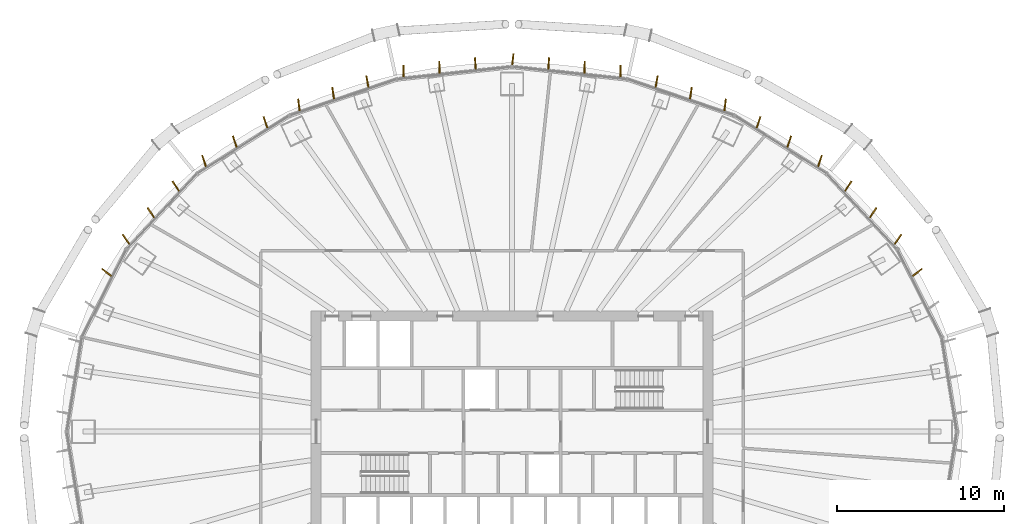
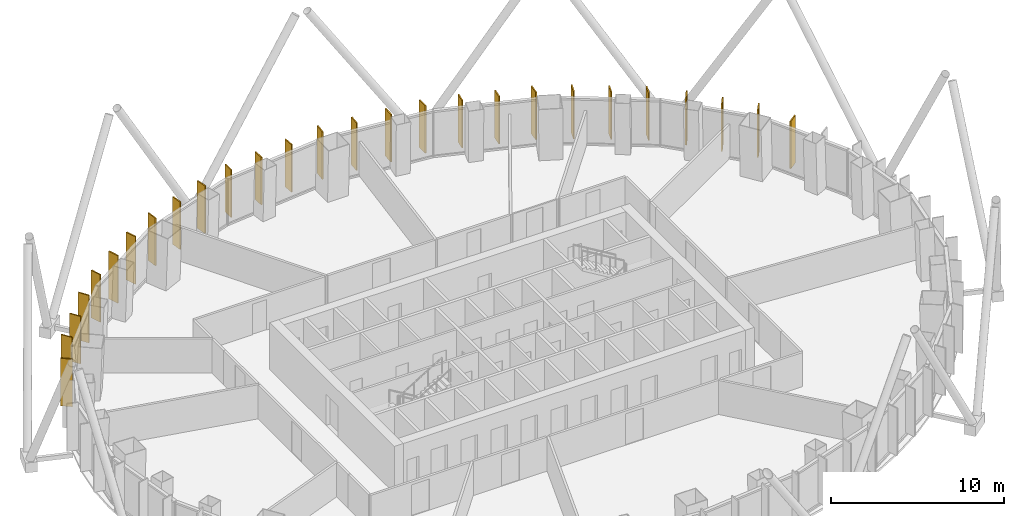
# One storey, part 18 of 18: 27 shading devices.
"""IFC4 building model written with IfcOpenShell, lengths in metres."""

from ifc_helpers import new_model, si_unit, direction, frame, origin, origin_2d, place, context, subcontext, project, spatial, rectangle, extrude, material, layer, layer_set, type_object, element, save


model = new_model("IFC4")

# Units and contexts
model_context = context("Model", 3, precision=1e-05, world=origin(), true_north=direction((0.0, 1.0)))
body_context = subcontext(model_context, "Body", "Model", "MODEL_VIEW")
ifc_project = project(units=[si_unit("LENGTHUNIT", "METRE"), si_unit("AREAUNIT", "SQUARE_METRE"), si_unit("VOLUMEUNIT", "CUBIC_METRE"), si_unit("PLANEANGLEUNIT", "RADIAN"), si_unit("MASSUNIT", "GRAM", prefix="KILO")], contexts=[model_context])

# Site, building, storey
site_placement = place(None, origin())
site = spatial("IfcSite", under=ifc_project, at=site_placement, CompositionType="ELEMENT")
building_placement = place(site_placement, origin())
building = spatial("IfcBuilding", under=site, at=building_placement, Name="Siaravel Broadcast Tower", CompositionType="ELEMENT")
storey_placement = place(building_placement, frame((0.0, 0.0, 81.5)))
storey = spatial("IfcBuildingStorey", under=building, at=storey_placement, Name="L19", CompositionType="ELEMENT", Elevation=81.5)

# Shading devices
ifc_material = material(Name="Bronze anodised aluminium", Category="aluminium")
ifc_layer = layer(ifc_material, 0.080078125)
ifc_layer_set = layer_set([ifc_layer], Name="Bronze anodised aluminium")
shading_device_type = type_object("IfcShadingDeviceType", Name="Bronze fin zone 1", PredefinedType="USERDEFINED", material=ifc_layer_set)
for number, where, z_axis, x_axis, name in (
    (1, (24.209716796875, 9.5126953125, 0.300048828125), (0.0, 0.0, 1.0), (0.791658797, 0.610963459, 0.0), "Bronze fin L19-05"),
    (2, (23.058837890625, 11.491943359375, 0.300048828125), (0.0, 0.0, 1.0), (0.567128082, 0.823629613, 0.0), "Bronze fin L19-06"),
    (3, (21.5703125, 13.078857421875, 0.300048828125), (0.0, 0.0, 1.0), (0.552551017, 0.833479078, 0.0), "Bronze fin L19-07"),
    (4, (20.08447265625, 14.6640625, 0.300048828125), (0.0, 0.0, 1.0), (0.544374068, 0.83884258, 0.0), "Bronze fin L19-08"),
    (5, (18.392578125, 16.171630859375, 0.300048828125), (0.0, 0.0, 1.0), (0.311852396, 0.950130561, 0.0), "Bronze fin L19-09"),
    (6, (16.557861328125, 17.325439453125, 0.300048828125), (0.0, 0.0, 1.0), (0.317549606, 0.948241661, 0.0), "Bronze fin L19-10"),
    (7, (14.725341796875, 18.478515625, 0.300048828125), (0.0, 0.0, 1.0), (0.330145385, 0.943930095, 0.0), "Bronze fin L19-11"),
    (8, (12.72802734375, 19.51904296875, 0.300048828125), (0.0, 0.0, 1.0), (0.121810444, 0.992553382, 0.0), "Bronze fin L19-12"),
    (9, (10.68212890625, 20.215087890625, 0.300048828125), (0.0, 0.0, 1.0), (0.146694219, 0.989181887, 0.0), "Bronze fin L19-13"),
    (10, (8.63818359375, 20.910400390625, 0.300048828125), (0.0, 0.0, 1.0), (0.176584854, 0.984285421, 0.0), "Bronze fin L19-14"),
    (11, (6.478759765625, 21.5302734375, 0.300048828125), (0.0, 0.0, 1.0), (-0.008136635, 0.999966897, 0.0), "Bronze fin L19-15"),
    (12, (4.334716796875, 21.7626953125, 0.300048828125), (0.0, 0.0, 1.0), (0.028570642, 0.999591776, 0.0), "Bronze fin L19-16"),
    (13, (2.191162109375, 21.99462890625, 0.300048828125), (0.0, 0.0, 1.0), (0.067569514, 0.997714569, 0.0), "Bronze fin L19-17"),
    (14, (0.048095703125, 22.22607421875, 0.300048828125), (0.0, 0.0, 1.0), (0.107218518, 0.99423548, 0.0), "Bronze fin L19-18"),
    (15, (-2.191162109375, 21.99462890625, 0.300048828125), (0.0, 0.0, 1.0), (-0.067569514, 0.997714569, 0.0), "Bronze fin L19-19"),
    (16, (-4.334716796875, 21.7626953125, 0.300048828125), (0.0, 0.0, 1.0), (-0.028570642, 0.999591776, 0.0), "Bronze fin L19-20"),
    (17, (-6.478759765625, 21.5302734375, 0.300048828125), (0.0, 0.0, 1.0), (0.008136635, 0.999966897, 0.0), "Bronze fin L19-21"),
    (18, (-8.63818359375, 20.910400390625, 0.300048828125), (0.0, 0.0, 1.0), (-0.176584854, 0.984285421, 0.0), "Bronze fin L19-22"),
    (19, (-10.68212890625, 20.215087890625, 0.300048828125), (0.0, 0.0, 1.0), (-0.146694219, 0.989181887, 0.0), "Bronze fin L19-23"),
    (20, (-12.72802734375, 19.51904296875, 0.300048828125), (0.0, 0.0, 1.0), (-0.121810444, 0.992553382, 0.0), "Bronze fin L19-24"),
    (21, (-14.725341796875, 18.478515625, 0.300048828125), (0.0, 0.0, 1.0), (-0.330145385, 0.943930095, 0.0), "Bronze fin L19-25"),
    (22, (-16.557861328125, 17.325439453125, 0.300048828125), (0.0, 0.0, 1.0), (-0.317549606, 0.948241661, 0.0), "Bronze fin L19-26"),
    (23, (-18.392578125, 16.171630859375, 0.300048828125), (0.0, 0.0, 1.0), (-0.311852396, 0.950130561, 0.0), "Bronze fin L19-27"),
    (24, (-20.08447265625, 14.6640625, 0.300048828125), (0.0, 0.0, 1.0), (-0.544374068, 0.83884258, 0.0), "Bronze fin L19-28"),
    (25, (-21.5703125, 13.078857421875, 0.300048828125), (0.0, 0.0, 1.0), (-0.552551017, 0.833479078, 0.0), "Bronze fin L19-29"),
    (26, (-23.058837890625, 11.491943359375, 0.300048828125), (0.0, 0.0, 1.0), (-0.567128082, 0.823629613, 0.0), "Bronze fin L19-30"),
    (27, (-24.209716796875, 9.5126953125, 0.300048828125), (0.0, 0.0, 1.0), (-0.791658797, 0.610963459, 0.0), "Bronze fin L19-31"),
):
    element("IfcShadingDevice", number, at=place(storey_placement, frame(where, z_axis=z_axis, x_axis=x_axis)), inside=storey, type_object=shading_device_type, Name=name, ObjectType="FIN", PredefinedType="USERDEFINED", context=body_context, shape_type="SweptSolid", body=[
        extrude(rectangle(XDim=0.699951171875, YDim=0.080078125, at=origin_2d()), origin(), (0.0, 0.0, 1.0), 3.35009765625),
    ])

save(model, "model.ifc")
